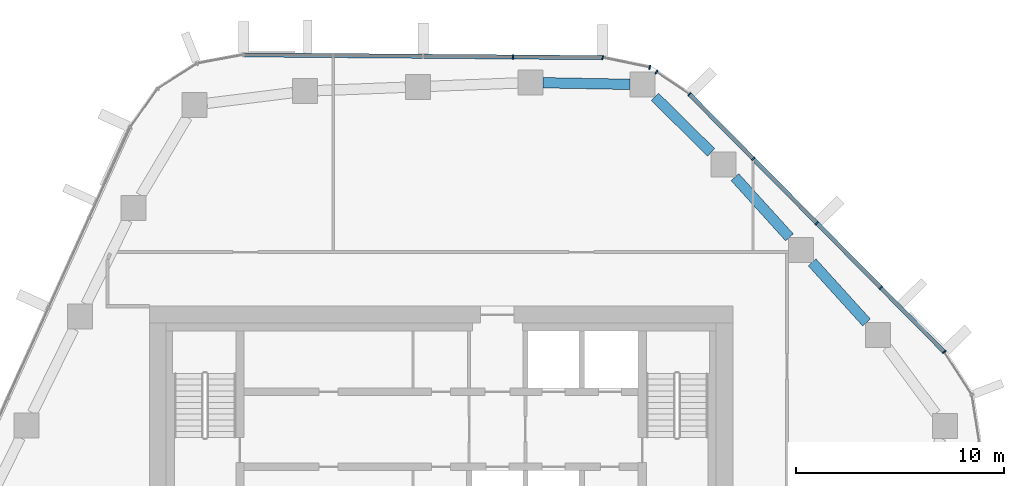
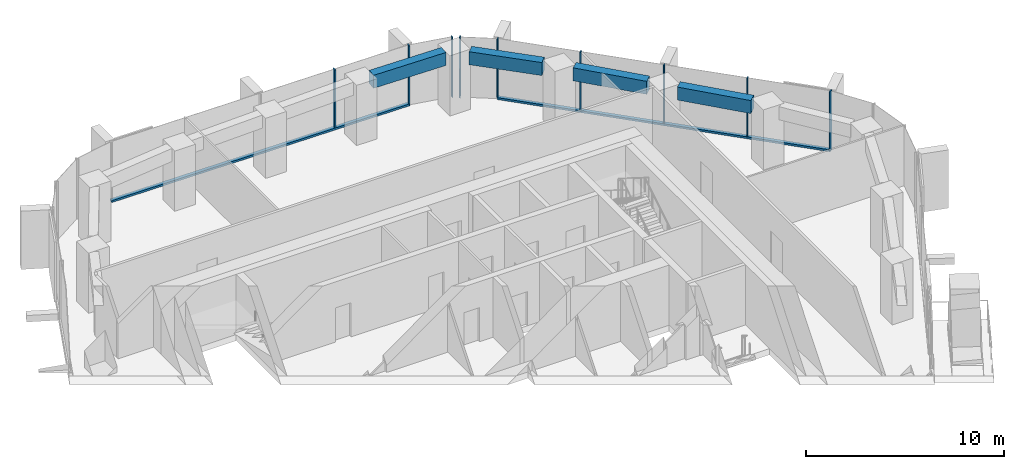
# One storey, part 6 of 17: 11 members, 4 beams, 5 elements without a shape of their own.
"""IFC4 building model written with IfcOpenShell, lengths in metres."""

from ifc_helpers import new_model, si_unit, direction, frame, origin, origin_2d, place, context, subcontext, project, spatial, rectangle, extrude, material, layer, layer_set, material_profile, profile_set, type_object, element, aggregate, save


model = new_model("IFC4")

# Units and contexts
model_context = context("Model", 3, precision=1e-05, world=origin(), true_north=direction((0.0, 1.0)))
body_context = subcontext(model_context, "Body", "Model", "MODEL_VIEW")
ifc_project = project(units=[si_unit("LENGTHUNIT", "METRE"), si_unit("AREAUNIT", "SQUARE_METRE"), si_unit("VOLUMEUNIT", "CUBIC_METRE"), si_unit("PLANEANGLEUNIT", "RADIAN"), si_unit("MASSUNIT", "GRAM", prefix="KILO")], contexts=[model_context])

# Site, building, storey
site_placement = place(None, origin())
site = spatial("IfcSite", under=ifc_project, at=site_placement, CompositionType="ELEMENT")
building_placement = place(site_placement, origin())
building = spatial("IfcBuilding", under=site, at=building_placement, Name="Dongbaek Canopy Tower", CompositionType="ELEMENT")
storey_placement = place(building_placement, frame((0.0, 0.0, 179.60009765625)))
storey = spatial("IfcBuildingStorey", under=building, at=storey_placement, Name="L39", CompositionType="ELEMENT", Elevation=179.60009765625)

# Curtain wall, member
ifc_material_1 = material(Name="Aluminium 6063-T6 pale anodised", Category="aluminium")
ifc_layer = layer(ifc_material_1, 0.199951171875)
ifc_layer_set = layer_set([ifc_layer], Name="CW-1 unitised tower curtain wall")
curtain_wall_type = type_object("IfcCurtainWallType", Name="CW-1 unitised tower curtain wall", PredefinedType="NOTDEFINED", material=ifc_layer_set)
curtain_wall_1_placement = place(storey_placement, origin())
curtain_wall_1 = element("IfcCurtainWall", 1, at=curtain_wall_1_placement, inside=storey, type_object=curtain_wall_type, Name="CW-1 curtain wall K0.1", PredefinedType="NOTDEFINED")
ifc_material_2 = material(Name="Aluminium 6063-T6 pale anodised", Category="aluminium")
ifc_material_profile_1 = material_profile(ifc_material_2, rectangle(XDim=0.199951171875, YDim=0.06005859375, at=origin_2d()), Name="CW-1 mullion 60 x 200")
ifc_profile_set_1 = profile_set([ifc_material_profile_1], Name="Aluminium 6063-T6 pale anodised")
member_type_1 = type_object("IfcMemberType", Name="CW-1 mullion 60 x 200", PredefinedType="MULLION", material=ifc_profile_set_1)
member_1_placement = place(storey_placement, frame((24.14794921875, 8.80712890625, 0.0), z_axis=(0.0, 0.0, 1.0), x_axis=(0.840961641998, 0.541094739105, 0.0)))
member_1 = element("IfcMember", 2, at=member_1_placement, type_object=member_type_1, Name="CW-1 mullion K0.1.4", PredefinedType="MULLION", context=body_context, shape_type="SweptSolid", body=[
    extrude(rectangle(XDim=0.199951171875, YDim=0.06005859375, at=origin_2d()), origin(), (0.0, 0.0, 1.0), 3.699951171875),
])
aggregate(curtain_wall_1, [member_1])

# Curtain wall, members
curtain_wall_2_placement = place(storey_placement, origin())
curtain_wall_2 = element("IfcCurtainWall", 3, at=curtain_wall_2_placement, inside=storey, type_object=curtain_wall_type, Name="CW-1 curtain wall F0.1", PredefinedType="NOTDEFINED")
member_2_placement = place(storey_placement, frame((21.094970703125, 11.893798828125, 0.119873046875), z_axis=(0.0, 0.0, 1.0), x_axis=(0.710991357912, 0.703200745857, 0.0)))
member_2 = element("IfcMember", 4, at=member_2_placement, type_object=member_type_1, Name="CW-1 mullion F0.1.2", PredefinedType="MULLION", context=body_context, shape_type="SweptSolid", body=[
    extrude(rectangle(XDim=0.199951171875, YDim=0.06005859375, at=origin_2d()), origin(), (0.0, 0.0, 1.0), 3.580078125),
])
member_3_placement = place(storey_placement, frame((18.034912109375, 14.988037109375, 0.119873046875), z_axis=(0.0, 0.0, 1.0), x_axis=(0.710991357912, 0.703200745857, 0.0)))
member_3 = element("IfcMember", 5, at=member_3_placement, type_object=member_type_1, Name="CW-1 mullion F0.1.3", PredefinedType="MULLION", context=body_context, shape_type="SweptSolid", body=[
    extrude(rectangle(XDim=0.199951171875, YDim=0.06005859375, at=origin_2d()), origin(), (0.0, 0.0, 1.0), 3.580078125),
])
member_4_placement = place(storey_placement, frame((14.974609375, 18.08203125, 0.119873046875), z_axis=(0.0, 0.0, 1.0), x_axis=(0.710991357912, 0.703200745857, 0.0)))
member_4 = element("IfcMember", 6, at=member_4_placement, type_object=member_type_1, Name="CW-1 mullion F0.1.4", PredefinedType="MULLION", context=body_context, shape_type="SweptSolid", body=[
    extrude(rectangle(XDim=0.199951171875, YDim=0.06005859375, at=origin_2d()), origin(), (0.0, 0.0, 1.0), 3.580078125),
])
member_5_placement = place(storey_placement, frame((11.92138671875, 21.169189453125, 0.119873046875), z_axis=(0.0, 0.0, 1.0), x_axis=(0.710991357912, 0.703200745857, 0.0)))
member_5 = element("IfcMember", 7, at=member_5_placement, type_object=member_type_1, Name="CW-1 mullion F0.1.5", PredefinedType="MULLION", context=body_context, shape_type="SweptSolid", body=[
    extrude(rectangle(XDim=0.199951171875, YDim=0.06005859375, at=origin_2d()), origin(), (0.0, 0.0, 1.0), 3.580078125),
])

# Curtain wall, member
curtain_wall_3_placement = place(storey_placement, origin())
curtain_wall_3 = element("IfcCurtainWall", 8, at=curtain_wall_3_placement, inside=storey, type_object=curtain_wall_type, Name="CW-1 curtain wall K1.1a", PredefinedType="NOTDEFINED")
member_6_placement = place(storey_placement, frame((10.3388671875, 22.240478515625, 0.0), z_axis=(0.0, 0.0, 1.0), x_axis=(0.560626417041, 0.828068850106, 0.0)))
member_6 = element("IfcMember", 9, at=member_6_placement, type_object=member_type_1, Name="CW-1 mullion K1.1a.2", PredefinedType="MULLION", context=body_context, shape_type="SweptSolid", body=[
    extrude(rectangle(XDim=0.199951171875, YDim=0.06005859375, at=origin_2d()), origin(), (0.0, 0.0, 1.0), 3.699951171875),
])
aggregate(curtain_wall_3, [member_6])

# Curtain wall, members
curtain_wall_4_placement = place(storey_placement, origin())
curtain_wall_4 = element("IfcCurtainWall", 10, at=curtain_wall_4_placement, inside=storey, type_object=curtain_wall_type, Name="CW-1 curtain wall K1.1b", PredefinedType="NOTDEFINED")
member_7_placement = place(storey_placement, frame((10.012939453125, 22.461181640625, 0.0), z_axis=(0.0, 0.0, 1.0), x_axis=(0.202208307545, 0.979342534744, 0.0)))
member_7 = element("IfcMember", 11, at=member_7_placement, type_object=member_type_1, Name="CW-1 mullion K1.1b.1", PredefinedType="MULLION", context=body_context, shape_type="SweptSolid", body=[
    extrude(rectangle(XDim=0.199951171875, YDim=0.06005859375, at=origin_2d()), origin(), (0.0, 0.0, 1.0), 3.699951171875),
])
member_8_placement = place(storey_placement, frame((7.756103515625, 22.92724609375, 0.0), z_axis=(0.0, 0.0, 1.0), x_axis=(0.202208307545, 0.979342534744, 0.0)))
member_8 = element("IfcMember", 12, at=member_8_placement, type_object=member_type_1, Name="CW-1 mullion K1.1b.2", PredefinedType="MULLION", context=body_context, shape_type="SweptSolid", body=[
    extrude(rectangle(XDim=0.199951171875, YDim=0.06005859375, at=origin_2d()), origin(), (0.0, 0.0, 1.0), 3.699951171875),
])
aggregate(curtain_wall_4, [member_7, member_8])

# Curtain wall, member
curtain_wall_5_placement = place(storey_placement, origin())
curtain_wall_5 = element("IfcCurtainWall", 13, at=curtain_wall_5_placement, inside=storey, type_object=curtain_wall_type, Name="CW-1 curtain wall F1.1", PredefinedType="NOTDEFINED")
member_9_placement = place(storey_placement, frame((3.452880859375, 22.9609375, 0.119873046875), z_axis=(0.0, 0.0, 1.0), x_axis=(0.007847305301, 0.999969209426, 0.0)))
member_9 = element("IfcMember", 14, at=member_9_placement, type_object=member_type_1, Name="CW-1 mullion F1.1.2", PredefinedType="MULLION", context=body_context, shape_type="SweptSolid", body=[
    extrude(rectangle(XDim=0.199951171875, YDim=0.06005859375, at=origin_2d()), origin(), (0.0, 0.0, 1.0), 3.580078125),
])

# Member
ifc_material_3 = material(Name="Aluminium 6063-T6 pale anodised", Category="aluminium")
ifc_material_profile_2 = material_profile(ifc_material_3, rectangle(XDim=0.199951171875, YDim=0.1201171875, at=origin_2d()), Name="CW-1 transom 120 x 200")
ifc_profile_set_2 = profile_set([ifc_material_profile_2], Name="Aluminium 6063-T6 pale anodised")
member_type_2 = type_object("IfcMemberType", Name="CW-1 transom 120 x 200", PredefinedType="USERDEFINED", material=ifc_profile_set_2)
member_10_placement = place(storey_placement, frame((24.14794921875, 8.80712890625, 0.059814453125), z_axis=(-0.703199522268, 0.710992568092, 0.0), x_axis=(-0.710992568092, -0.703199522268, 0.0)))
member_10 = element("IfcMember", 15, at=member_10_placement, type_object=member_type_2, Name="CW-1 transom F0.1.1", ObjectType="TRANSOM", PredefinedType="USERDEFINED", context=body_context, shape_type="SweptSolid", body=[
    extrude(rectangle(XDim=0.199951171875, YDim=0.1201171875, at=origin_2d()), origin(), (0.0, 0.0, 1.0), 17.386962890625),
])

aggregate(curtain_wall_2, [member_2, member_3, member_4, member_5, member_10])

member_11_placement = place(storey_placement, frame((7.756103515625, 22.92724609375, 0.059814453125), z_axis=(-0.999969201304, 0.007848340146, 0.0), x_axis=(-0.007848340146, -0.999969201304, 0.0)))
member_11 = element("IfcMember", 16, at=member_11_placement, type_object=member_type_2, Name="CW-1 transom F1.1.1", ObjectType="TRANSOM", PredefinedType="USERDEFINED", context=body_context, shape_type="SweptSolid", body=[
    extrude(rectangle(XDim=0.199951171875, YDim=0.1201171875, at=origin_2d()), origin(), (0.0, 0.0, 1.0), 17.2333984375),
])

aggregate(curtain_wall_5, [member_9, member_11])

# Beams
ifc_material_4 = material(Name="Concrete C70", Category="concrete")
ifc_material_profile_3 = material_profile(ifc_material_4, rectangle(XDim=0.5, YDim=0.800048828125, at=origin_2d()), Name="RC EDGE BEAM 500x800 C70")
ifc_profile_set_3 = profile_set([ifc_material_profile_3], Name="Concrete C70")
beam_type = type_object("IfcBeamType", Name="RC EDGE BEAM 500x800 C70", PredefinedType="BEAM", material=ifc_profile_set_3)
beam_1_placement = place(storey_placement, frame((4.89501953125, 21.724609375, 3.2998046875), z_axis=(0.999823523871, -0.018786194753, 0.0), x_axis=(0.018786194753, 0.999823523871, 0.0)))
element("IfcBeam", 17, at=beam_1_placement, inside=storey, type_object=beam_type, Name="EDGEBEAM:L39:16", PredefinedType="BEAM", context=body_context, shape_type="SweptSolid", body=[
    extrude(rectangle(XDim=0.5, YDim=0.800048828125, at=origin_2d()), origin(), (0.0, 0.0, 1.0), 4.171630859375),
])
beam_2_placement = place(storey_placement, frame((10.26611328125, 21.04296875, 3.2998046875), z_axis=(0.711703560094, -0.702479923236, 0.0), x_axis=(0.702479923236, 0.711703560094, 0.0)))
element("IfcBeam", 18, at=beam_2_placement, inside=storey, type_object=beam_type, Name="EDGEBEAM:L39:17", PredefinedType="BEAM", context=body_context, shape_type="SweptSolid", body=[
    extrude(rectangle(XDim=0.5, YDim=0.800048828125, at=origin_2d()), origin(), (0.0, 0.0, 1.0), 3.78515625),
])
beam_3_placement = place(storey_placement, frame((14.103515625, 17.19189453125, 3.2998046875), z_axis=(0.67132037677, -0.741167289978, 0.0), x_axis=(0.741167289978, 0.67132037677, 0.0)))
element("IfcBeam", 19, at=beam_3_placement, inside=storey, type_object=beam_type, Name="EDGEBEAM:L39:18", PredefinedType="BEAM", context=body_context, shape_type="SweptSolid", body=[
    extrude(rectangle(XDim=0.5, YDim=0.800048828125, at=origin_2d()), origin(), (0.0, 0.0, 1.0), 3.893798828125),
])
beam_4_placement = place(storey_placement, frame((17.80419921875, 13.10595703125, 3.2998046875), z_axis=(0.671238468475, -0.741241471074, 0.0), x_axis=(0.741241471074, 0.671238468475, 0.0)))
element("IfcBeam", 20, at=beam_4_placement, inside=storey, type_object=beam_type, Name="EDGEBEAM:L39:19", PredefinedType="BEAM", context=body_context, shape_type="SweptSolid", body=[
    extrude(rectangle(XDim=0.5, YDim=0.800048828125, at=origin_2d()), origin(), (0.0, 0.0, 1.0), 3.89208984375),
])

save(model, "model.ifc")
